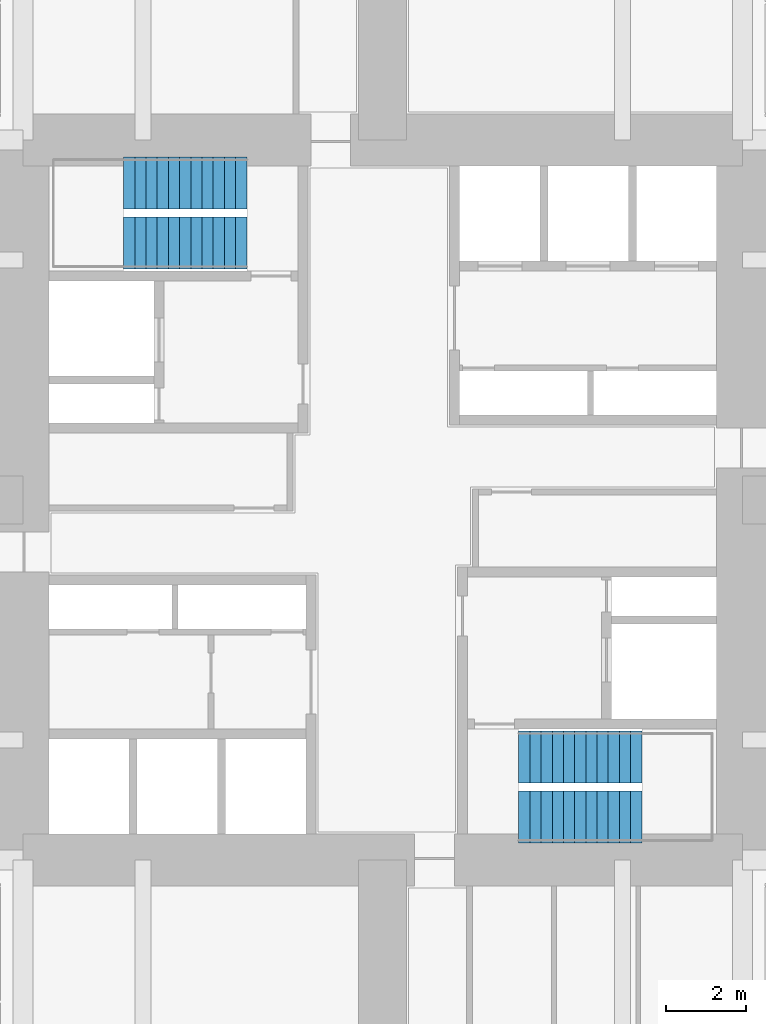
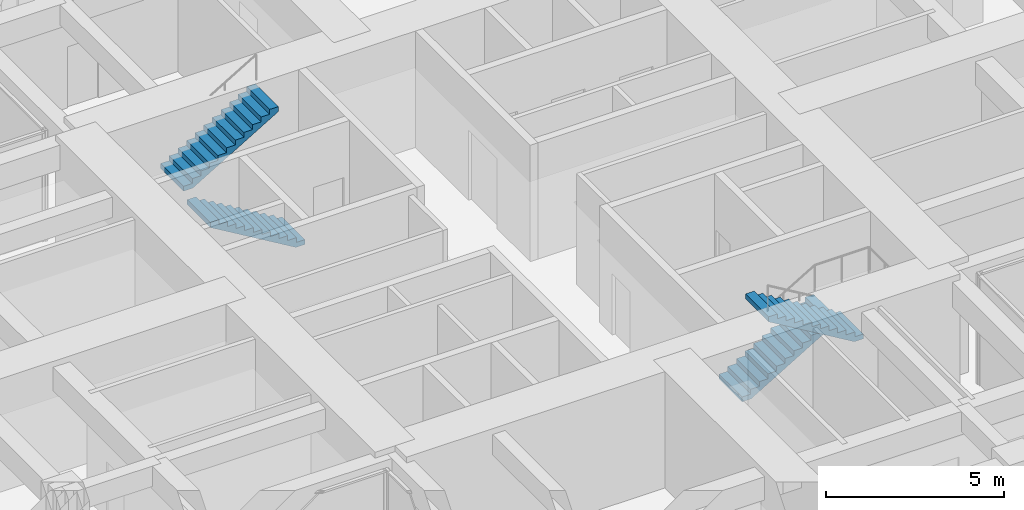
# One storey, part 12 of 13: 4 stair flights, 2 elements without a shape of their own.
"""IFC4 building model written with IfcOpenShell, lengths in metres."""

from ifc_helpers import new_model, si_unit, direction, frame, origin, place, context, subcontext, project, spatial, polyline, outline, extrude, material, type_object, element, aggregate, save


model = new_model("IFC4")

# Units and contexts
model_context = context("Model", 3, precision=1e-05, world=origin(), true_north=direction((0.0, 1.0)))
body_context = subcontext(model_context, "Body", "Model", "MODEL_VIEW")
ifc_project = project(units=[si_unit("LENGTHUNIT", "METRE"), si_unit("AREAUNIT", "SQUARE_METRE"), si_unit("VOLUMEUNIT", "CUBIC_METRE"), si_unit("PLANEANGLEUNIT", "RADIAN"), si_unit("MASSUNIT", "GRAM", prefix="KILO")], contexts=[model_context])

# Site, building, storey
site_placement = place(None, origin())
site = spatial("IfcSite", under=ifc_project, at=site_placement, CompositionType="ELEMENT")
building_placement = place(site_placement, origin())
building = spatial("IfcBuilding", under=site, at=building_placement, Name="Torre Cruceta", CompositionType="ELEMENT")
storey_placement = place(building_placement, frame((0.0, 0.0, 132.5)))
storey = spatial("IfcBuildingStorey", under=building, at=storey_placement, Name="L32", CompositionType="ELEMENT", Elevation=132.5)

# Stair, stair flights
ifc_material_1 = material(Name="Concrete G30 (fck 30 MPa)", Category="concrete")
stair_type = type_object("IfcStairType", Name="STAIR HALF-TURN 1300", PredefinedType="HALF_TURN_STAIR", material=ifc_material_1)
stair_1_placement = place(storey_placement, origin())
stair_1 = element("IfcStair", 1, at=stair_1_placement, inside=storey, type_object=stair_type, Name="Stair ST1 L32", PredefinedType="HALF_TURN_STAIR")
ifc_material_2 = material(Name="Concrete G30 (fck 30 MPa)", Category="concrete")
stair_flight_type = type_object("IfcStairFlightType", Name="STAIR FLIGHT 1300", PredefinedType="STRAIGHT", material=ifc_material_2)
stair_flight_1_placement = place(storey_placement, frame((-3.39990234375, 6.425048828125, 0.0), z_axis=(0.0, 0.0, 1.0), x_axis=(-1.0, 0.0, 0.0)))
stair_flight_1 = element("IfcStairFlight", 2, at=stair_flight_1_placement, type_object=stair_flight_type, Name="ST1 flight 1", NumberOfRisers=12, NumberOfTreads=11, PredefinedType="STRAIGHT", RiserHeight=0.166666667, TreadLength=0.28, context=body_context, shape_type="SweptSolid", body=[
    extrude(outline(polyline([(0.0, 0.0), (0.0, 0.166748046875), (0.280029296875, 0.166748046875), (0.280029296875, 0.333251953125), (0.56005859375, 0.333251953125), (0.56005859375, 0.5), (0.840087890625, 0.5), (0.840087890625, 0.666748046875), (1.1201171875, 0.666748046875), (1.1201171875, 0.833251953125), (1.39990234375, 0.833251953125), (1.39990234375, 1.0), (1.679931640625, 1.0), (1.679931640625, 1.166748046875), (1.9599609375, 1.166748046875), (1.9599609375, 1.333251953125), (2.239990234375, 1.333251953125), (2.239990234375, 1.5), (2.52001953125, 1.5), (2.52001953125, 1.666748046875), (2.800048828125, 1.666748046875), (2.800048828125, 1.833251953125), (3.080078125, 1.833251953125), (3.080078125, 2.0), (3.080078125, 1.658935546875), (0.29296875, 0.0), (0.0, 0.0)])), frame((0.0, 0.64990234375, 0.0), z_axis=(0.0, -1.0, 0.0), x_axis=(1.0, 0.0, 0.0)), (0.0, 0.0, 1.0), 1.300048828125),
])
stair_flight_2_placement = place(storey_placement, frame((-6.47998046875, 7.925048828125, 2.0), z_axis=(0.0, 0.0, 1.0), x_axis=(1.0, 0.0, 0.0)))
stair_flight_2 = element("IfcStairFlight", 3, at=stair_flight_2_placement, type_object=stair_flight_type, Name="ST1 flight 2", NumberOfRisers=12, NumberOfTreads=11, PredefinedType="STRAIGHT", RiserHeight=0.166666667, TreadLength=0.28, context=body_context, shape_type="SweptSolid", body=[
    extrude(outline(polyline([(0.0, 0.0), (0.0, 0.166748046875), (0.280029296875, 0.166748046875), (0.280029296875, 0.333251953125), (0.56005859375, 0.333251953125), (0.56005859375, 0.5), (0.840087890625, 0.5), (0.840087890625, 0.666748046875), (1.1201171875, 0.666748046875), (1.1201171875, 0.833251953125), (1.39990234375, 0.833251953125), (1.39990234375, 1.0), (1.679931640625, 1.0), (1.679931640625, 1.166748046875), (1.9599609375, 1.166748046875), (1.9599609375, 1.333251953125), (2.239990234375, 1.333251953125), (2.239990234375, 1.5), (2.52001953125, 1.5), (2.52001953125, 1.666748046875), (2.800048828125, 1.666748046875), (2.800048828125, 1.833251953125), (3.080078125, 1.833251953125), (3.080078125, 2.0), (3.080078125, 1.658935546875), (0.29296875, 0.0), (0.0, 0.0)])), frame((0.0, 0.64990234375, 0.0), z_axis=(0.0, -1.0, 0.0), x_axis=(1.0, 0.0, 0.0)), (0.0, 0.0, 1.0), 1.300048828125),
])
aggregate(stair_1, [stair_flight_1, stair_flight_2])

stair_2_placement = place(storey_placement, origin())
stair_2 = element("IfcStair", 4, at=stair_2_placement, inside=storey, type_object=stair_type, Name="Stair ST2 L32", PredefinedType="HALF_TURN_STAIR")
stair_flight_3_placement = place(storey_placement, frame((3.39990234375, -6.425048828125, 0.0), z_axis=(0.0, 0.0, 1.0), x_axis=(1.0, 0.0, 0.0)))
stair_flight_3 = element("IfcStairFlight", 5, at=stair_flight_3_placement, type_object=stair_flight_type, Name="ST2 flight 1", NumberOfRisers=12, NumberOfTreads=11, PredefinedType="STRAIGHT", RiserHeight=0.166666667, TreadLength=0.28, context=body_context, shape_type="SweptSolid", body=[
    extrude(outline(polyline([(0.0, 0.0), (0.0, 0.166748046875), (0.280029296875, 0.166748046875), (0.280029296875, 0.333251953125), (0.56005859375, 0.333251953125), (0.56005859375, 0.5), (0.840087890625, 0.5), (0.840087890625, 0.666748046875), (1.1201171875, 0.666748046875), (1.1201171875, 0.833251953125), (1.39990234375, 0.833251953125), (1.39990234375, 1.0), (1.679931640625, 1.0), (1.679931640625, 1.166748046875), (1.9599609375, 1.166748046875), (1.9599609375, 1.333251953125), (2.239990234375, 1.333251953125), (2.239990234375, 1.5), (2.52001953125, 1.5), (2.52001953125, 1.666748046875), (2.800048828125, 1.666748046875), (2.800048828125, 1.833251953125), (3.080078125, 1.833251953125), (3.080078125, 2.0), (3.080078125, 1.658935546875), (0.29296875, 0.0), (0.0, 0.0)])), frame((0.0, 0.64990234375, 0.0), z_axis=(0.0, -1.0, 0.0), x_axis=(1.0, 0.0, 0.0)), (0.0, 0.0, 1.0), 1.300048828125),
])
stair_flight_4_placement = place(storey_placement, frame((6.47998046875, -7.925048828125, 2.0), z_axis=(0.0, 0.0, 1.0), x_axis=(-1.0, 0.0, 0.0)))
stair_flight_4 = element("IfcStairFlight", 6, at=stair_flight_4_placement, type_object=stair_flight_type, Name="ST2 flight 2", NumberOfRisers=12, NumberOfTreads=11, PredefinedType="STRAIGHT", RiserHeight=0.166666667, TreadLength=0.28, context=body_context, shape_type="SweptSolid", body=[
    extrude(outline(polyline([(0.0, 0.0), (0.0, 0.166748046875), (0.280029296875, 0.166748046875), (0.280029296875, 0.333251953125), (0.56005859375, 0.333251953125), (0.56005859375, 0.5), (0.840087890625, 0.5), (0.840087890625, 0.666748046875), (1.1201171875, 0.666748046875), (1.1201171875, 0.833251953125), (1.39990234375, 0.833251953125), (1.39990234375, 1.0), (1.679931640625, 1.0), (1.679931640625, 1.166748046875), (1.9599609375, 1.166748046875), (1.9599609375, 1.333251953125), (2.239990234375, 1.333251953125), (2.239990234375, 1.5), (2.52001953125, 1.5), (2.52001953125, 1.666748046875), (2.800048828125, 1.666748046875), (2.800048828125, 1.833251953125), (3.080078125, 1.833251953125), (3.080078125, 2.0), (3.080078125, 1.658935546875), (0.29296875, 0.0), (0.0, 0.0)])), frame((0.0, 0.64990234375, 0.0), z_axis=(0.0, -1.0, 0.0), x_axis=(1.0, 0.0, 0.0)), (0.0, 0.0, 1.0), 1.300048828125),
])
aggregate(stair_2, [stair_flight_3, stair_flight_4])

save(model, "model.ifc")
